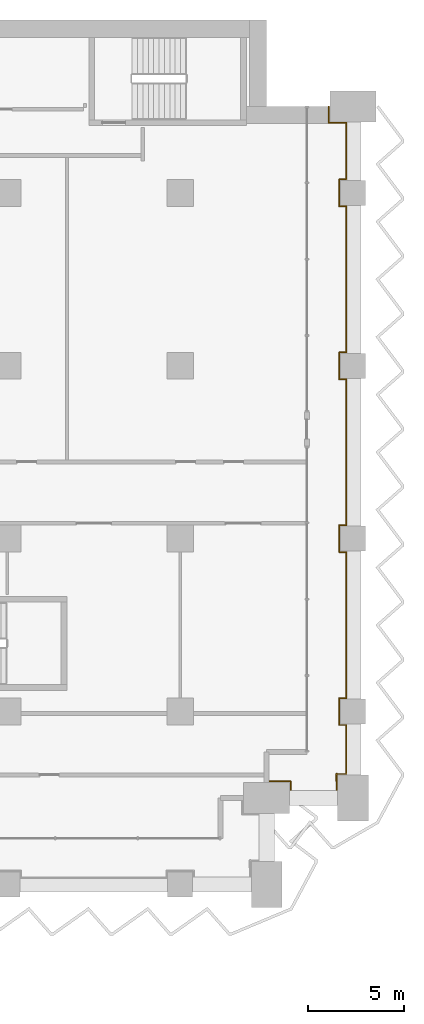
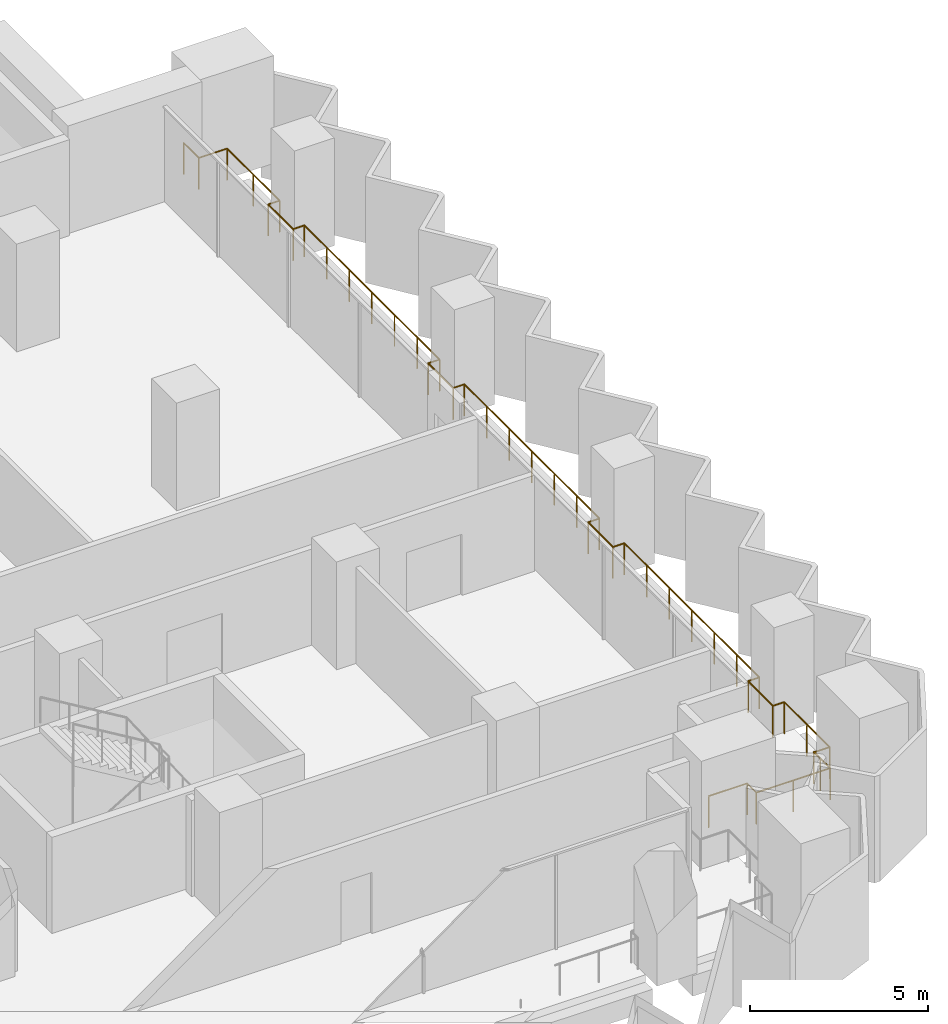
# One storey, part 29 of 29: 1 railing.
"""IFC4 building model written with IfcOpenShell, lengths in metres."""

from ifc_helpers import new_model, si_unit, direction, frame, origin, origin_2d, place, context, subcontext, project, spatial, circle, extrude, material, type_object, element, save


model = new_model("IFC4")

# Units and contexts
model_context = context("Model", 3, precision=1e-05, world=origin(), true_north=direction((0.0, 1.0)))
body_context = subcontext(model_context, "Body", "Model", "MODEL_VIEW")
ifc_project = project(units=[si_unit("LENGTHUNIT", "METRE"), si_unit("AREAUNIT", "SQUARE_METRE"), si_unit("VOLUMEUNIT", "CUBIC_METRE"), si_unit("PLANEANGLEUNIT", "RADIAN"), si_unit("MASSUNIT", "GRAM", prefix="KILO")], contexts=[model_context])

# Site, building, storey
site_placement = place(None, origin())
site = spatial("IfcSite", under=ifc_project, at=site_placement, CompositionType="ELEMENT")
building_placement = place(site_placement, origin())
building = spatial("IfcBuilding", under=site, at=building_placement, Name="Hunhe Ridgeline Campus", CompositionType="ELEMENT")
storey_placement = place(building_placement, frame((0.0, 0.0, 50.60009765625)))
storey = spatial("IfcBuildingStorey", under=building, at=storey_placement, Name="L11", CompositionType="ELEMENT", Elevation=50.60009765625)

# Railing
ifc_material = material(Name="Steel Q355", Category="steel")
railing_type = type_object("IfcRailingType", Name="Loggia guard 1100 Steel Q355", PredefinedType="GUARDRAIL", material=ifc_material)
railing_placement = place(storey_placement, frame((94.5, 59.3701171875, 0.0)))
element("IfcRailing", 1, at=railing_placement, inside=storey, type_object=railing_type, Name="Loggia guard 3", PredefinedType="GUARDRAIL", context=body_context, shape_type="SweptSolid", body=[
    extrude(circle(Radius=0.02392578125, at=origin_2d()), frame((0.0, 0.0, 1.076171875), z_axis=(1.0, 0.0, 0.0), x_axis=(0.0, 1.0, 0.0)), (0.0, 0.0, 1.0), 1.25),
    extrude(circle(Radius=0.02392578125, at=origin_2d()), frame((1.25, 0.0, 1.076171875), z_axis=(0.0, -1.0, 0.0), x_axis=(1.0, 0.0, 0.0)), (0.0, 0.0, 1.0), 0.52001953125),
    extrude(circle(Radius=0.02392578125, at=origin_2d()), frame((1.25, -0.52001953125, 1.076171875), z_axis=(1.0, 0.0, 0.0), x_axis=(0.0, 1.0, 0.0)), (0.0, 0.0, 1.0), 2.39990234375),
    extrude(circle(Radius=0.02392578125, at=origin_2d()), frame((3.64990234375, -0.52001953125, 1.076171875), z_axis=(0.0, 1.0, 0.0), x_axis=(-1.0, 0.0, 0.0)), (0.0, 0.0, 1.0), 0.919921875),
    extrude(circle(Radius=0.02392578125, at=origin_2d()), frame((3.64990234375, 0.39990234375, 1.076171875), z_axis=(-0.049998438503, -0.998749295943, 0.0), x_axis=(0.998749295943, -0.049998438503, 0.0)), (0.0, 0.0, 1.0), 0.400390625),
    extrude(circle(Radius=0.02392578125, at=origin_2d()), frame((3.6298828125, 0.0, 1.076171875), z_axis=(0.0, 1.0, 0.0), x_axis=(-1.0, 0.0, 0.0)), (0.0, 0.0, 1.0), 0.3798828125),
    extrude(circle(Radius=0.02392578125, at=origin_2d()), frame((3.6298828125, 0.3798828125, 1.076171875), z_axis=(1.0, 0.0, 0.0), x_axis=(0.0, 1.0, 0.0)), (0.0, 0.0, 1.0), 0.52001953125),
    extrude(circle(Radius=0.02392578125, at=origin_2d()), frame((4.14990234375, 0.3798828125, 1.076171875), z_axis=(0.0, 1.0, 0.0), x_axis=(-1.0, 0.0, 0.0)), (0.0, 0.0, 1.0), 2.550048828125),
    extrude(circle(Radius=0.02392578125, at=origin_2d()), frame((4.14990234375, 2.929931640625, 1.076171875), z_axis=(-1.0, 0.0, 0.0), x_axis=(0.0, -1.0, 0.0)), (0.0, 0.0, 1.0), 0.369873046875),
    extrude(circle(Radius=0.02392578125, at=origin_2d()), frame((3.780029296875, 2.929931640625, 1.076171875), z_axis=(0.0, 1.0, 0.0), x_axis=(-1.0, 0.0, 0.0)), (0.0, 0.0, 1.0), 1.39990234375),
    extrude(circle(Radius=0.02392578125, at=origin_2d()), frame((3.780029296875, 4.329833984375, 1.076171875), z_axis=(1.0, 0.0, 0.0), x_axis=(0.0, 1.0, 0.0)), (0.0, 0.0, 1.0), 0.369873046875),
    extrude(circle(Radius=0.02392578125, at=origin_2d()), frame((4.14990234375, 4.329833984375, 1.076171875), z_axis=(0.0, 1.0, 0.0), x_axis=(-1.0, 0.0, 0.0)), (0.0, 0.0, 1.0), 7.60009765625),
    extrude(circle(Radius=0.02392578125, at=origin_2d()), frame((4.14990234375, 11.929931640625, 1.076171875), z_axis=(-1.0, 0.0, 0.0), x_axis=(0.0, -1.0, 0.0)), (0.0, 0.0, 1.0), 0.369873046875),
    extrude(circle(Radius=0.02392578125, at=origin_2d()), frame((3.780029296875, 11.929931640625, 1.076171875), z_axis=(0.0, 1.0, 0.0), x_axis=(-1.0, 0.0, 0.0)), (0.0, 0.0, 1.0), 1.39990234375),
    extrude(circle(Radius=0.02392578125, at=origin_2d()), frame((3.780029296875, 13.329833984375, 1.076171875), z_axis=(1.0, 0.0, 0.0), x_axis=(0.0, 1.0, 0.0)), (0.0, 0.0, 1.0), 0.369873046875),
    extrude(circle(Radius=0.02392578125, at=origin_2d()), frame((4.14990234375, 13.329833984375, 1.076171875), z_axis=(0.0, 1.0, 0.0), x_axis=(-1.0, 0.0, 0.0)), (0.0, 0.0, 1.0), 7.60009765625),
    extrude(circle(Radius=0.02392578125, at=origin_2d()), frame((4.14990234375, 20.929931640625, 1.076171875), z_axis=(-1.0, 0.0, 0.0), x_axis=(0.0, -1.0, 0.0)), (0.0, 0.0, 1.0), 0.369873046875),
    extrude(circle(Radius=0.02392578125, at=origin_2d()), frame((3.780029296875, 20.929931640625, 1.076171875), z_axis=(0.0, 1.0, 0.0), x_axis=(-1.0, 0.0, 0.0)), (0.0, 0.0, 1.0), 1.39990234375),
    extrude(circle(Radius=0.02392578125, at=origin_2d()), frame((3.780029296875, 22.329833984375, 1.076171875), z_axis=(1.0, 0.0, 0.0), x_axis=(0.0, 1.0, 0.0)), (0.0, 0.0, 1.0), 0.369873046875),
    extrude(circle(Radius=0.02392578125, at=origin_2d()), frame((4.14990234375, 22.329833984375, 1.076171875), z_axis=(0.0, 1.0, 0.0), x_axis=(-1.0, 0.0, 0.0)), (0.0, 0.0, 1.0), 7.60009765625),
    extrude(circle(Radius=0.02392578125, at=origin_2d()), frame((4.14990234375, 29.929931640625, 1.076171875), z_axis=(-1.0, 0.0, 0.0), x_axis=(0.0, -1.0, 0.0)), (0.0, 0.0, 1.0), 0.369873046875),
    extrude(circle(Radius=0.02392578125, at=origin_2d()), frame((3.780029296875, 29.929931640625, 1.076171875), z_axis=(0.0, 1.0, 0.0), x_axis=(-1.0, 0.0, 0.0)), (0.0, 0.0, 1.0), 1.39990234375),
    extrude(circle(Radius=0.02392578125, at=origin_2d()), frame((3.780029296875, 31.329833984375, 1.076171875), z_axis=(1.0, 0.0, 0.0), x_axis=(0.0, 1.0, 0.0)), (0.0, 0.0, 1.0), 0.369873046875),
    extrude(circle(Radius=0.02392578125, at=origin_2d()), frame((4.14990234375, 31.329833984375, 1.076171875), z_axis=(0.0, 1.0, 0.0), x_axis=(-1.0, 0.0, 0.0)), (0.0, 0.0, 1.0), 2.949951171875),
    extrude(circle(Radius=0.02392578125, at=origin_2d()), frame((4.14990234375, 34.27978515625, 1.076171875), z_axis=(-1.0, 0.0, 0.0), x_axis=(0.0, -1.0, 0.0)), (0.0, 0.0, 1.0), 0.919921875),
    extrude(circle(Radius=0.02392578125, at=origin_2d()), frame((3.22998046875, 34.27978515625, 1.076171875), z_axis=(0.0, 1.0, 0.0), x_axis=(-1.0, 0.0, 0.0)), (0.0, 0.0, 1.0), 0.85009765625),
    extrude(circle(Radius=0.02099609375, at=origin_2d()), origin(), (0.0, 0.0, 1.0), 1.052001953125),
    extrude(circle(Radius=0.02099609375, at=origin_2d()), frame((1.25, 0.0, 0.0)), (0.0, 0.0, 1.0), 1.052001953125),
    extrude(circle(Radius=0.02099609375, at=origin_2d()), frame((1.25, -0.52001953125, 0.0)), (0.0, 0.0, 1.0), 1.052001953125),
    extrude(circle(Radius=0.02099609375, at=origin_2d()), frame((2.449951171875, -0.52001953125, 0.0)), (0.0, 0.0, 1.0), 1.052001953125),
    extrude(circle(Radius=0.02099609375, at=origin_2d()), frame((3.64990234375, -0.52001953125, 0.0)), (0.0, 0.0, 1.0), 1.052001953125),
    extrude(circle(Radius=0.02099609375, at=origin_2d()), frame((3.64990234375, 0.39990234375, 0.0)), (0.0, 0.0, 1.0), 1.052001953125),
    extrude(circle(Radius=0.02099609375, at=origin_2d()), frame((3.6298828125, 0.0, 0.0)), (0.0, 0.0, 1.0), 1.052001953125),
    extrude(circle(Radius=0.02099609375, at=origin_2d()), frame((3.6298828125, 0.3798828125, 0.0)), (0.0, 0.0, 1.0), 1.052001953125),
    extrude(circle(Radius=0.02099609375, at=origin_2d()), frame((4.14990234375, 0.3798828125, 0.0)), (0.0, 0.0, 1.0), 1.052001953125),
    extrude(circle(Radius=0.02099609375, at=origin_2d()), frame((4.14990234375, 1.65478515625, 0.0)), (0.0, 0.0, 1.0), 1.052001953125),
    extrude(circle(Radius=0.02099609375, at=origin_2d()), frame((4.14990234375, 2.929931640625, 0.0)), (0.0, 0.0, 1.0), 1.052001953125),
    extrude(circle(Radius=0.02099609375, at=origin_2d()), frame((3.780029296875, 2.929931640625, 0.0)), (0.0, 0.0, 1.0), 1.052001953125),
    extrude(circle(Radius=0.02099609375, at=origin_2d()), frame((3.780029296875, 4.329833984375, 0.0)), (0.0, 0.0, 1.0), 1.052001953125),
    extrude(circle(Radius=0.02099609375, at=origin_2d()), frame((4.14990234375, 4.329833984375, 0.0)), (0.0, 0.0, 1.0), 1.052001953125),
    extrude(circle(Radius=0.02099609375, at=origin_2d()), frame((4.14990234375, 5.596435546875, 0.0)), (0.0, 0.0, 1.0), 1.052001953125),
    extrude(circle(Radius=0.02099609375, at=origin_2d()), frame((4.14990234375, 6.86328125, 0.0)), (0.0, 0.0, 1.0), 1.052001953125),
    extrude(circle(Radius=0.02099609375, at=origin_2d()), frame((4.14990234375, 8.1298828125, 0.0)), (0.0, 0.0, 1.0), 1.052001953125),
    extrude(circle(Radius=0.02099609375, at=origin_2d()), frame((4.14990234375, 9.396484375, 0.0)), (0.0, 0.0, 1.0), 1.052001953125),
    extrude(circle(Radius=0.02099609375, at=origin_2d()), frame((4.14990234375, 10.663330078125, 0.0)), (0.0, 0.0, 1.0), 1.052001953125),
    extrude(circle(Radius=0.02099609375, at=origin_2d()), frame((4.14990234375, 11.929931640625, 0.0)), (0.0, 0.0, 1.0), 1.052001953125),
    extrude(circle(Radius=0.02099609375, at=origin_2d()), frame((3.780029296875, 11.929931640625, 0.0)), (0.0, 0.0, 1.0), 1.052001953125),
    extrude(circle(Radius=0.02099609375, at=origin_2d()), frame((3.780029296875, 13.329833984375, 0.0)), (0.0, 0.0, 1.0), 1.052001953125),
    extrude(circle(Radius=0.02099609375, at=origin_2d()), frame((4.14990234375, 13.329833984375, 0.0)), (0.0, 0.0, 1.0), 1.052001953125),
    extrude(circle(Radius=0.02099609375, at=origin_2d()), frame((4.14990234375, 14.596435546875, 0.0)), (0.0, 0.0, 1.0), 1.052001953125),
    extrude(circle(Radius=0.02099609375, at=origin_2d()), frame((4.14990234375, 15.86328125, 0.0)), (0.0, 0.0, 1.0), 1.052001953125),
    extrude(circle(Radius=0.02099609375, at=origin_2d()), frame((4.14990234375, 17.1298828125, 0.0)), (0.0, 0.0, 1.0), 1.052001953125),
    extrude(circle(Radius=0.02099609375, at=origin_2d()), frame((4.14990234375, 18.396484375, 0.0)), (0.0, 0.0, 1.0), 1.052001953125),
    extrude(circle(Radius=0.02099609375, at=origin_2d()), frame((4.14990234375, 19.663330078125, 0.0)), (0.0, 0.0, 1.0), 1.052001953125),
    extrude(circle(Radius=0.02099609375, at=origin_2d()), frame((4.14990234375, 20.929931640625, 0.0)), (0.0, 0.0, 1.0), 1.052001953125),
    extrude(circle(Radius=0.02099609375, at=origin_2d()), frame((3.780029296875, 20.929931640625, 0.0)), (0.0, 0.0, 1.0), 1.052001953125),
    extrude(circle(Radius=0.02099609375, at=origin_2d()), frame((3.780029296875, 22.329833984375, 0.0)), (0.0, 0.0, 1.0), 1.052001953125),
    extrude(circle(Radius=0.02099609375, at=origin_2d()), frame((4.14990234375, 22.329833984375, 0.0)), (0.0, 0.0, 1.0), 1.052001953125),
    extrude(circle(Radius=0.02099609375, at=origin_2d()), frame((4.14990234375, 23.596435546875, 0.0)), (0.0, 0.0, 1.0), 1.052001953125),
    extrude(circle(Radius=0.02099609375, at=origin_2d()), frame((4.14990234375, 24.86328125, 0.0)), (0.0, 0.0, 1.0), 1.052001953125),
    extrude(circle(Radius=0.02099609375, at=origin_2d()), frame((4.14990234375, 26.1298828125, 0.0)), (0.0, 0.0, 1.0), 1.052001953125),
    extrude(circle(Radius=0.02099609375, at=origin_2d()), frame((4.14990234375, 27.396484375, 0.0)), (0.0, 0.0, 1.0), 1.052001953125),
    extrude(circle(Radius=0.02099609375, at=origin_2d()), frame((4.14990234375, 28.663330078125, 0.0)), (0.0, 0.0, 1.0), 1.052001953125),
    extrude(circle(Radius=0.02099609375, at=origin_2d()), frame((4.14990234375, 29.929931640625, 0.0)), (0.0, 0.0, 1.0), 1.052001953125),
    extrude(circle(Radius=0.02099609375, at=origin_2d()), frame((3.780029296875, 29.929931640625, 0.0)), (0.0, 0.0, 1.0), 1.052001953125),
    extrude(circle(Radius=0.02099609375, at=origin_2d()), frame((3.780029296875, 31.329833984375, 0.0)), (0.0, 0.0, 1.0), 1.052001953125),
    extrude(circle(Radius=0.02099609375, at=origin_2d()), frame((4.14990234375, 31.329833984375, 0.0)), (0.0, 0.0, 1.0), 1.052001953125),
    extrude(circle(Radius=0.02099609375, at=origin_2d()), frame((4.14990234375, 32.8046875, 0.0)), (0.0, 0.0, 1.0), 1.052001953125),
    extrude(circle(Radius=0.02099609375, at=origin_2d()), frame((4.14990234375, 34.27978515625, 0.0)), (0.0, 0.0, 1.0), 1.052001953125),
    extrude(circle(Radius=0.02099609375, at=origin_2d()), frame((3.22998046875, 34.27978515625, 0.0)), (0.0, 0.0, 1.0), 1.052001953125),
    extrude(circle(Radius=0.02099609375, at=origin_2d()), frame((3.22998046875, 35.1298828125, 0.0)), (0.0, 0.0, 1.0), 1.052001953125),
])

save(model, "model.ifc")
